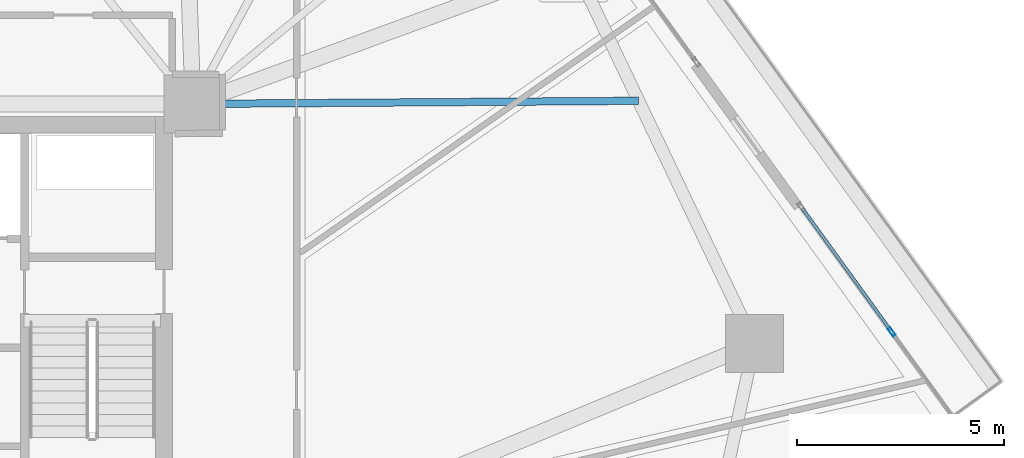
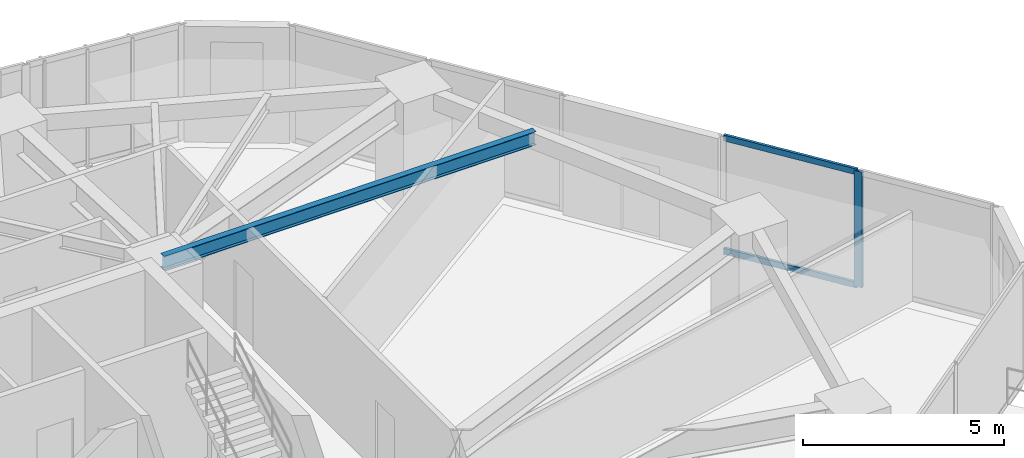
# One storey, part 12 of 24: 3 members, 1 beam, 1 element without a shape of its own.
"""IFC4 building model written with IfcOpenShell, lengths in metres."""

from ifc_helpers import new_model, si_unit, direction, frame, origin, origin_2d, place, context, subcontext, project, spatial, hollow_rectangle, i_section, extrude, source, transform, mapped, material, layer, layer_set, material_profile, profile_set, type_object, type_shapes, element, aggregate, save


model = new_model("IFC4")

# Units and contexts
model_context = context("Model", 3, precision=1e-05, world=origin(), true_north=direction((0.0, 1.0)))
body_context = subcontext(model_context, "Body", "Model", "MODEL_VIEW")
ifc_project = project(units=[si_unit("LENGTHUNIT", "METRE"), si_unit("AREAUNIT", "SQUARE_METRE"), si_unit("VOLUMEUNIT", "CUBIC_METRE"), si_unit("PLANEANGLEUNIT", "RADIAN"), si_unit("MASSUNIT", "GRAM", prefix="KILO")], contexts=[model_context])

# Site, building, storey
site_placement = place(None, origin())
site = spatial("IfcSite", under=ifc_project, at=site_placement, CompositionType="ELEMENT")
building_placement = place(site_placement, origin())
building = spatial("IfcBuilding", under=site, at=building_placement, Name="Talar Marvaseh", CompositionType="ELEMENT")
storey_placement = place(building_placement, frame((0.0, 0.0, 73.39990234375)))
storey = spatial("IfcBuildingStorey", under=building, at=storey_placement, Name="L18", CompositionType="ELEMENT", Elevation=73.39990234375)

# Beam
ifc_material_1 = material(Name="Steel S355", Category="steel")
ifc_material_profile_1 = material_profile(ifc_material_1, i_section(OverallWidth=0.179931640625, OverallDepth=0.4130859375, WebThickness=0.009765625, FlangeThickness=0.01611328125, at=origin_2d()), Name="W410x75")
ifc_profile_set_1 = profile_set([ifc_material_profile_1], Name="Steel S355")
beam_type = type_object("IfcBeamType", Name="Zone 1 Secondary Floor Joist W410x75", PredefinedType="JOIST", material=ifc_profile_set_1)
beam_placement = place(storey_placement, frame((44.048095703125, 36.97509765625, 3.3134765625), z_axis=(-0.999975527604, -0.006996012686, 0.0), x_axis=(0.006996012686, -0.999975527604, 0.0)))
element("IfcBeam", 1, at=beam_placement, inside=storey, type_object=beam_type, Name="L18 Zone 1 Secondary Floor Joist W410x75", PredefinedType="JOIST", context=body_context, shape_type="SweptSolid", body=[
    extrude(i_section(OverallWidth=0.179931640625, OverallDepth=0.4130859375, WebThickness=0.009765625, FlangeThickness=0.01611328125, at=origin_2d()), origin(), (0.0, 0.0, 1.0), 10.748291015625),
])

# Curtain wall, members
ifc_material_2 = material(Name="Architectural Aluminium", Category="aluminium")
ifc_layer = layer(ifc_material_2, 0.219970703125)
ifc_layer_set = layer_set([ifc_layer], Name="Architectural Aluminium")
curtain_wall_type = type_object("IfcCurtainWallType", Name="Unitised Low-E Museum Curtain Wall Z1", PredefinedType="NOTDEFINED", material=ifc_layer_set)
curtain_wall_placement = place(storey_placement, origin())
curtain_wall = element("IfcCurtainWall", 2, at=curtain_wall_placement, inside=storey, type_object=curtain_wall_type, Name="L18 Unitised Low-E Museum Curtain Wall Z1", PredefinedType="NOTDEFINED")
ifc_material_profile_2 = material_profile(ifc_material_2, hollow_rectangle(XDim=0.080078125, YDim=0.219970703125, WallThickness=0.0048828125, at=origin_2d()), Name="RHS220x80x5")
ifc_profile_set_2 = profile_set([ifc_material_profile_2], Name="Architectural Aluminium")
member_type_1 = type_object("IfcMemberType", Name="Unitised Curtain Wall Heavy Mullion RHS220x80x5", PredefinedType="MULLION", material=ifc_profile_set_2)
shared_shape_1 = source(origin(), body_context, "Body", "SweptSolid", [
    extrude(hollow_rectangle(XDim=0.080078125, YDim=0.219970703125, WallThickness=0.0048828125, at=origin_2d()), origin(), (0.0, 0.0, 1.0), 3.52001953125),
])
type_shapes(member_type_1, [shared_shape_1])
member_1_placement = place(storey_placement, frame((50.15625, 31.40185546875, 0.0), z_axis=(0.0, 0.0, 1.0), x_axis=(0.810006646124, 0.586420696458, 0.0)))
member_1 = element("IfcMember", 3, at=member_1_placement, type_object=member_type_1, Name="CW-Z1 mullion 2", PredefinedType="MULLION", context=body_context, shape_type="MappedRepresentation", body=[
    mapped(shared_shape_1, transform((0.0, 0.0, 0.0), x_axis=(1.0, 0.0, 0.0), y_axis=(0.0, 1.0, 0.0), z_axis=(0.0, 0.0, 1.0), scale=1.0)),
])
ifc_material_profile_3 = material_profile(ifc_material_2, hollow_rectangle(XDim=0.074951171875, YDim=0.179931640625, WallThickness=0.0048828125, at=origin_2d()), Name="RHS180x75x5")
ifc_profile_set_3 = profile_set([ifc_material_profile_3], Name="Architectural Aluminium")
member_type_2 = type_object("IfcMemberType", Name="Unitised Curtain Wall Transom RHS180x75x5", PredefinedType="USERDEFINED", material=ifc_profile_set_3)
shared_shape_2 = source(origin(), body_context, "Body", "SweptSolid", [
    extrude(hollow_rectangle(XDim=0.074951171875, YDim=0.179931640625, WallThickness=0.0048828125, at=origin_2d()), origin(), (0.0, 0.0, 1.0), 3.636962890625),
])
type_shapes(member_type_2, [shared_shape_2])
member_2_placement = place(storey_placement, frame((48.0, 34.380126953125, 0.03759765625), z_axis=(0.586414145427, -0.810011388835, 0.0), x_axis=(0.810011388835, 0.586414145427, 0.0)))
member_2 = element("IfcMember", 4, at=member_2_placement, type_object=member_type_2, Name="CW-Z1 transom 1.1", ObjectType="TRANSOM", PredefinedType="USERDEFINED", context=body_context, shape_type="MappedRepresentation", body=[
    mapped(shared_shape_2, transform((0.0, 0.0, 0.0), x_axis=(1.0, 0.0, 0.0), y_axis=(0.0, 1.0, 0.0), z_axis=(0.0, 0.0, 1.0), scale=1.0)),
])
member_3_placement = place(storey_placement, frame((48.0, 34.380126953125, 3.482666015625), z_axis=(0.586414145427, -0.810011388835, 0.0), x_axis=(0.810011388835, 0.586414145427, 0.0)))
member_3 = element("IfcMember", 5, at=member_3_placement, type_object=member_type_2, Name="CW-Z1 transom 1.2", ObjectType="TRANSOM", PredefinedType="USERDEFINED", context=body_context, shape_type="MappedRepresentation", body=[
    mapped(shared_shape_2, transform((0.0, 0.0, 0.0), x_axis=(1.0, 0.0, 0.0), y_axis=(0.0, 1.0, 0.0), z_axis=(0.0, 0.0, 1.0), scale=1.0)),
])
aggregate(curtain_wall, [member_1, member_2, member_3])

save(model, "model.ifc")
